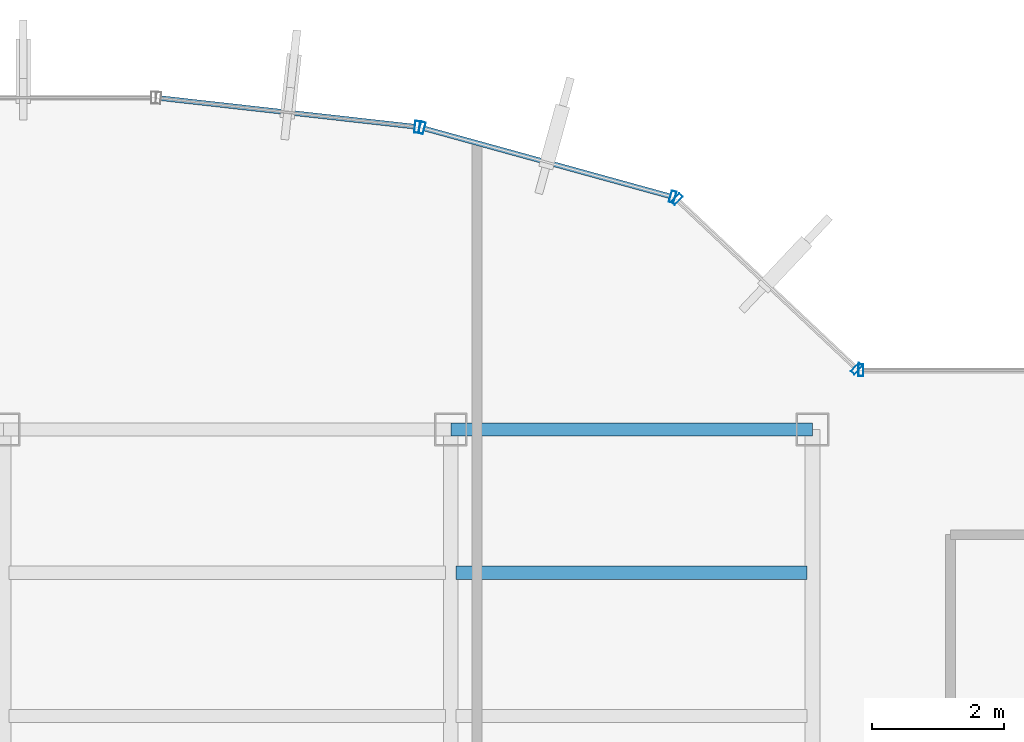
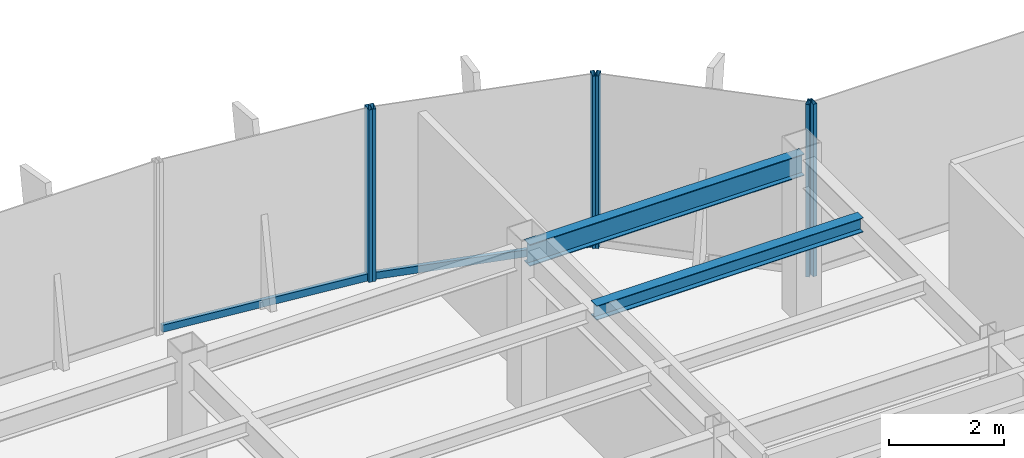
# One storey, part 14 of 22: 8 members, 2 beams, 4 elements without a shape of their own.
"""IFC4 building model written with IfcOpenShell, lengths in metres."""

from ifc_helpers import new_model, si_unit, derived_unit, direction, frame, origin, origin_2d, place, context, subcontext, project, spatial, hollow_rectangle, i_section, extrude, source, transform, mapped, material, material_profile, profile_set, type_object, element, aggregate, save


model = new_model("IFC4")

# Units and contexts
model_context = context("Model", 3, precision=1e-05, world=origin(), true_north=direction((0.0, 1.0)))
body_context = subcontext(model_context, "Body", "Model", "MODEL_VIEW")
ifc_project = project(units=[si_unit("LENGTHUNIT", "METRE"), si_unit("AREAUNIT", "SQUARE_METRE"), si_unit("VOLUMEUNIT", "CUBIC_METRE"), si_unit("PLANEANGLEUNIT", "RADIAN"), si_unit("MASSUNIT", "GRAM", prefix="KILO"), derived_unit("THERMALTRANSMITTANCEUNIT", [(si_unit("POWERUNIT", "WATT"), 1), (si_unit("LENGTHUNIT", "METRE"), -2), (si_unit("THERMODYNAMICTEMPERATUREUNIT", "KELVIN"), -1)])], contexts=[model_context])

# Site, building, storey
site_placement = place(None, origin())
site = spatial("IfcSite", under=ifc_project, at=site_placement, CompositionType="ELEMENT")
building_placement = place(site_placement, origin())
building = spatial("IfcBuilding", under=site, at=building_placement, Name="Skarnbrae Concourse Arena and Tower", CompositionType="ELEMENT")
storey_placement = place(building_placement, frame((0.0, 0.0, 244.199951171875)))
storey = spatial("IfcBuildingStorey", under=building, at=storey_placement, Name="L63", CompositionType="ELEMENT", Elevation=244.199951171875)

# Beams
ifc_material_1 = material(Name="Steel CSA G40.21 350W", Category="steel")
ifc_material_profile_1 = material_profile(ifc_material_1, i_section(OverallWidth=0.19091796875, OverallDepth=0.4599609375, WebThickness=0.010009765625, FlangeThickness=0.01611328125, at=origin_2d()), Name="W460X82")
ifc_profile_set_1 = profile_set([ifc_material_profile_1], Name="Steel CSA G40.21 350W")
beam_type_1 = type_object("IfcBeamType", Name="BM-SPAN-W460X82", PredefinedType="SPANDREL", material=ifc_profile_set_1)
shared_shape_1 = source(origin(), body_context, "Body", "SweptSolid", [
    extrude(i_section(OverallWidth=0.19091796875, OverallDepth=0.4599609375, WebThickness=0.010009765625, FlangeThickness=0.01611328125, at=origin_2d()), origin(), (0.0, 0.0, 1.0), 5.5),
])
beam_1_placement = place(storey_placement, frame((28.0, 34.39990234375, 3.170166015625), z_axis=(1.0, 0.0, 0.0), x_axis=(0.0, 1.0, 0.0)))
element("IfcBeam", 1, at=beam_1_placement, inside=storey, type_object=beam_type_1, Name="L63 Perimeter spandrel Y34.4-4", PredefinedType="SPANDREL", context=body_context, shape_type="MappedRepresentation", body=[
    mapped(shared_shape_1, transform((0.0, 0.0, 0.0))),
])
ifc_material_profile_2 = material_profile(ifc_material_1, i_section(OverallWidth=0.202880859375, OverallDepth=0.302978515625, WebThickness=0.007568359375, FlangeThickness=0.01318359375, at=origin_2d()), Name="W310X60")
ifc_profile_set_2 = profile_set([ifc_material_profile_2], Name="Steel CSA G40.21 350W")
beam_type_2 = type_object("IfcBeamType", Name="BM-JOIST-W310X60", PredefinedType="JOIST", material=ifc_profile_set_2)
shared_shape_2 = source(origin(), body_context, "Body", "SweptSolid", [
    extrude(i_section(OverallWidth=0.202880859375, OverallDepth=0.302978515625, WebThickness=0.007568359375, FlangeThickness=0.01318359375, at=origin_2d()), origin(), (0.0, 0.0, 1.0), 5.33984375),
])
beam_2_placement = place(storey_placement, frame((28.080078125, 32.221923828125, 3.24853515625), z_axis=(1.0, 0.0, 0.0), x_axis=(0.0, 1.0, 0.0)))
element("IfcBeam", 2, at=beam_2_placement, inside=storey, type_object=beam_type_2, Name="L63 Secondary floor joist 3.2.4", PredefinedType="JOIST", context=body_context, shape_type="MappedRepresentation", body=[
    mapped(shared_shape_2, transform((0.0, 0.0, 0.0))),
])

# Curtain wall, member
ifc_material_2 = material(Name="Bronze anodised aluminium 6063-T6", Category="aluminium")
curtain_wall_type = type_object("IfcCurtainWallType", Name="CW-SYS-05-HIGHZONE", PredefinedType="USERDEFINED", material=ifc_material_2)
curtain_wall_1_placement = place(storey_placement, origin())
curtain_wall_1 = element("IfcCurtainWall", 3, at=curtain_wall_1_placement, inside=storey, type_object=curtain_wall_type, Name="L63 Unitised curtain wall CW-L63-E09", ObjectType="UNITISED CURTAIN WALL", PredefinedType="USERDEFINED")
ifc_material_profile_3 = material_profile(ifc_material_2, hollow_rectangle(XDim=0.074951171875, YDim=0.14990234375, WallThickness=0.00390625, at=origin_2d()), Name="ALU-TRAN-75X150")
ifc_profile_set_3 = profile_set([ifc_material_profile_3], Name="Bronze anodised aluminium 6063-T6")
member_type_1 = type_object("IfcMemberType", Name="CWT-CW-05", PredefinedType="USERDEFINED", material=ifc_profile_set_3)
shared_shape_3 = source(origin(), body_context, "Body", "SweptSolid", [
    extrude(hollow_rectangle(XDim=0.074951171875, YDim=0.14990234375, WallThickness=0.00390625, at=origin_2d()), origin(), (0.0, 0.0, 1.0), 3.878662109375),
])
member_1_placement = place(storey_placement, frame((31.33740234375, 37.946533203125, 0.074951171875), z_axis=(-0.964042677713, 0.265747465742, 0.0), x_axis=(-0.265747465742, -0.964042677713, 0.0)))
member_1 = element("IfcMember", 4, at=member_1_placement, type_object=member_type_1, Name="CW-L63-E09 Transom 1", ObjectType="TRANSOM", PredefinedType="USERDEFINED", context=body_context, shape_type="MappedRepresentation", body=[
    mapped(shared_shape_3, transform((0.0, 0.0, 0.0))),
])

curtain_wall_2_placement = place(storey_placement, origin())
curtain_wall_2 = element("IfcCurtainWall", 5, at=curtain_wall_2_placement, inside=storey, type_object=curtain_wall_type, Name="L63 Unitised curtain wall CW-L63-E10", ObjectType="UNITISED CURTAIN WALL", PredefinedType="USERDEFINED")
shared_shape_4 = source(origin(), body_context, "Body", "SweptSolid", [
    extrude(hollow_rectangle(XDim=0.074951171875, YDim=0.14990234375, WallThickness=0.00390625, at=origin_2d()), origin(), (0.0, 0.0, 1.0), 3.8837890625),
])
member_2_placement = place(storey_placement, frame((27.451416015625, 39.005615234375, 0.074951171875), z_axis=(-0.993776714154, 0.111390495128, 0.0), x_axis=(-0.111390495128, -0.993776714154, 0.0)))
member_2 = element("IfcMember", 6, at=member_2_placement, type_object=member_type_1, Name="CW-L63-E10 Transom 1", ObjectType="TRANSOM", PredefinedType="USERDEFINED", context=body_context, shape_type="MappedRepresentation", body=[
    mapped(shared_shape_4, transform((0.0, 0.0, 0.0))),
])

curtain_wall_3_placement = place(storey_placement, origin())
curtain_wall_3 = element("IfcCurtainWall", 7, at=curtain_wall_3_placement, inside=storey, type_object=curtain_wall_type, Name="L63 Unitised curtain wall CW-L63-E07", ObjectType="UNITISED CURTAIN WALL", PredefinedType="USERDEFINED")
ifc_material_profile_4 = material_profile(ifc_material_2, hollow_rectangle(XDim=0.074951171875, YDim=0.179931640625, WallThickness=0.00390625, at=origin_2d()), Name="ALU-MULL-75X180")
ifc_profile_set_4 = profile_set([ifc_material_profile_4], Name="Bronze anodised aluminium 6063-T6")
member_type_2 = type_object("IfcMemberType", Name="CWM-CW-05", PredefinedType="MULLION", material=ifc_profile_set_4)
shared_shape_5 = source(origin(), body_context, "Body", "SweptSolid", [
    extrude(hollow_rectangle(XDim=0.074951171875, YDim=0.179931640625, WallThickness=0.00390625, at=origin_2d()), origin(), (0.0, 0.0, 1.0), 3.650146484375),
])
member_3_placement = place(storey_placement, frame((34.237548828125, 35.300048828125, 0.0), z_axis=(0.0, 0.0, 1.0), x_axis=(-1.0, 0.0, 0.0)))
member_3 = element("IfcMember", 8, at=member_3_placement, type_object=member_type_2, Name="CW-L63-E07 Mullion 2", PredefinedType="MULLION", context=body_context, shape_type="MappedRepresentation", body=[
    mapped(shared_shape_5, transform((0.0, 0.0, 0.0))),
])
aggregate(curtain_wall_3, [member_3])

# Curtain wall, members
curtain_wall_4_placement = place(storey_placement, origin())
curtain_wall_4 = element("IfcCurtainWall", 9, at=curtain_wall_4_placement, inside=storey, type_object=curtain_wall_type, Name="L63 Unitised curtain wall CW-L63-E08", ObjectType="UNITISED CURTAIN WALL", PredefinedType="USERDEFINED")
member_4_placement = place(storey_placement, frame((34.172607421875, 35.32568359375, 0.0), z_axis=(0.0, 0.0, 1.0), x_axis=(-0.728130555214, 0.685438468838, 0.0)))
member_4 = element("IfcMember", 10, at=member_4_placement, type_object=member_type_2, Name="CW-L63-E08 Mullion 1", PredefinedType="MULLION", context=body_context, shape_type="MappedRepresentation", body=[
    mapped(shared_shape_5, transform((0.0, 0.0, 0.0))),
])
member_5_placement = place(storey_placement, frame((31.43701171875, 37.90087890625, 0.0), z_axis=(0.0, 0.0, 1.0), x_axis=(-0.728130555214, 0.685438468838, 0.0)))
member_5 = element("IfcMember", 11, at=member_5_placement, type_object=member_type_2, Name="CW-L63-E08 Mullion 2", PredefinedType="MULLION", context=body_context, shape_type="MappedRepresentation", body=[
    mapped(shared_shape_5, transform((0.0, 0.0, 0.0))),
])
aggregate(curtain_wall_4, [member_4, member_5])

# Member
member_6_placement = place(storey_placement, frame((31.37353515625, 37.936767578125, 0.0), z_axis=(0.0, 0.0, 1.0), x_axis=(-0.964057388766, 0.265694093207, 0.0)))
member_6 = element("IfcMember", 12, at=member_6_placement, type_object=member_type_2, Name="CW-L63-E09 Mullion 1", PredefinedType="MULLION", context=body_context, shape_type="MappedRepresentation", body=[
    mapped(shared_shape_5, transform((0.0, 0.0, 0.0))),
])

member_7_placement = place(storey_placement, frame((27.56201171875, 38.987060546875, 0.0), z_axis=(0.0, 0.0, 1.0), x_axis=(-0.964057388766, 0.265694093207, 0.0)))
member_7 = element("IfcMember", 13, at=member_7_placement, type_object=member_type_2, Name="CW-L63-E09 Mullion 2", PredefinedType="MULLION", context=body_context, shape_type="MappedRepresentation", body=[
    mapped(shared_shape_5, transform((0.0, 0.0, 0.0))),
])

aggregate(curtain_wall_1, [member_6, member_7, member_1])

member_8_placement = place(storey_placement, frame((27.488525390625, 39.001220703125, 0.0), z_axis=(0.0, 0.0, 1.0), x_axis=(-0.993768891873, 0.111460259941, 0.0)))
member_8 = element("IfcMember", 14, at=member_8_placement, type_object=member_type_2, Name="CW-L63-E10 Mullion 1", PredefinedType="MULLION", context=body_context, shape_type="MappedRepresentation", body=[
    mapped(shared_shape_5, transform((0.0, 0.0, 0.0))),
])

aggregate(curtain_wall_2, [member_8, member_2])

save(model, "model.ifc")
